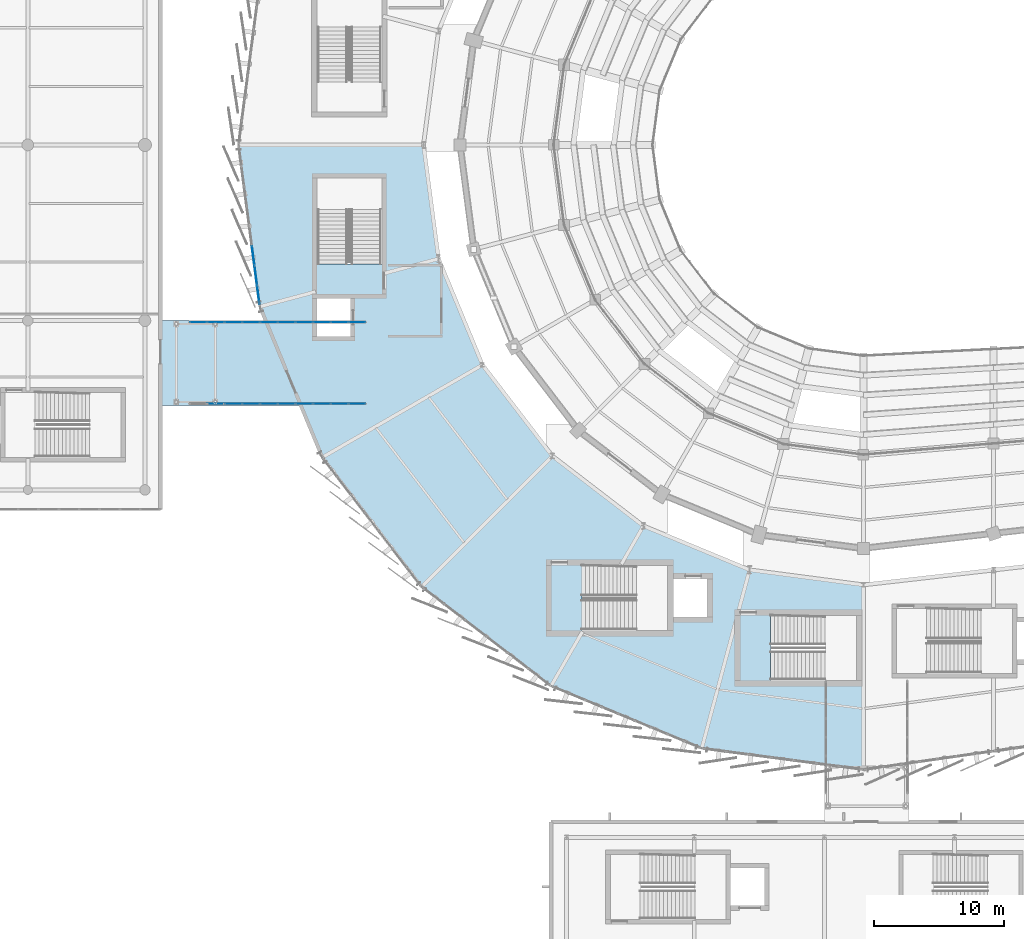
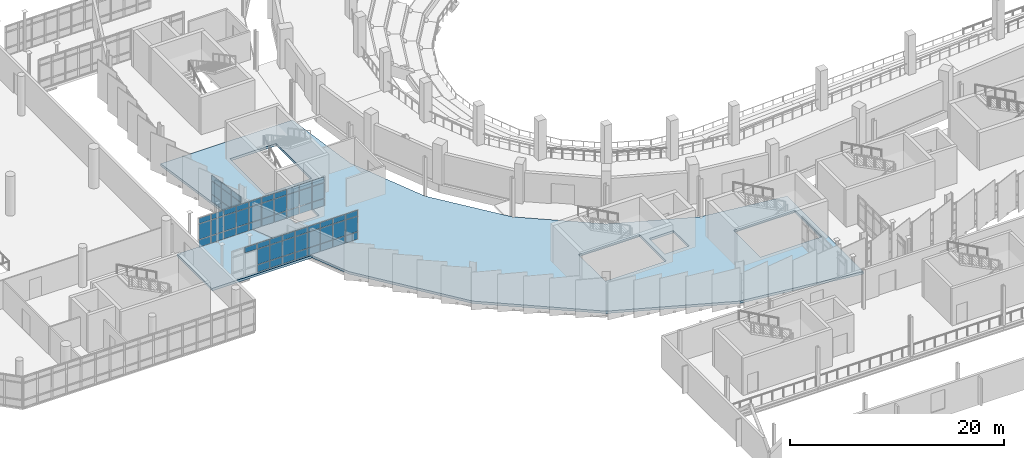
# One storey, part 84 of 134: 64 plates, 2 slabs, 3 elements without a shape of their own.
"""IFC4 building model written with IfcOpenShell, lengths in metres."""

from ifc_helpers import new_model, si_unit, direction, frame, origin, origin_2d, place, context, subcontext, project, spatial, polyline, rectangle, outline, extrude, material, layer, layer_set, type_object, element, aggregate, save


model = new_model("IFC4")

# Units and contexts
model_context = context("Model", 3, precision=1e-05, world=origin(), true_north=direction((0.0, 1.0)))
body_context = subcontext(model_context, "Body", "Model", "MODEL_VIEW")
ifc_project = project(units=[si_unit("LENGTHUNIT", "METRE"), si_unit("AREAUNIT", "SQUARE_METRE"), si_unit("VOLUMEUNIT", "CUBIC_METRE"), si_unit("PLANEANGLEUNIT", "RADIAN"), si_unit("MASSUNIT", "GRAM", prefix="KILO")], contexts=[model_context])

# Site, building, storey
site_placement = place(None, origin())
site = spatial("IfcSite", under=ifc_project, at=site_placement, CompositionType="ELEMENT")
building_placement = place(site_placement, origin())
building = spatial("IfcBuilding", under=site, at=building_placement, Name="Sohan Crest Arena", CompositionType="ELEMENT")
storey_placement = place(building_placement, frame((0.0, 0.0, 4.5)))
storey = spatial("IfcBuildingStorey", under=building, at=storey_placement, Name="L01", CompositionType="ELEMENT", Elevation=4.5)

# Curtain wall, plates
ifc_material_1 = material(Name="Thermally broken anodised aluminium", Category="aluminium")
ifc_layer_1 = layer(ifc_material_1, 0.18994140625, Name="Thermally broken anodised aluminium")
ifc_layer_set_1 = layer_set([ifc_layer_1], Name="Thermally broken anodised aluminium")
curtain_wall_type_1 = type_object("IfcCurtainWallType", Name="ARC-CW05", PredefinedType="NOTDEFINED", material=ifc_layer_set_1)
curtain_wall_1_placement = place(storey_placement, origin())
curtain_wall_1 = element("IfcCurtainWall", 1, at=curtain_wall_1_placement, inside=storey, type_object=curtain_wall_type_1, Name="Unitised curtain wall CW-225", PredefinedType="NOTDEFINED")
ifc_material_2 = material(Name="Low-E double-glazed insulated glass", Category="glass")
ifc_layer_2 = layer(ifc_material_2, 0.028076171875, Name="Low-E double-glazed insulated glass")
ifc_layer_set_2 = layer_set([ifc_layer_2], Name="Low-E double-glazed insulated glass")
plate_type_1 = type_object("IfcPlateType", Name="ARC-CNP01", PredefinedType="CURTAIN_PANEL", material=ifc_layer_set_2)
plate_1_placement = place(storey_placement, frame((48.239990234375, 58.1201171875, 2.72998046875), z_axis=(0.0, 0.0, 1.0), x_axis=(1.0, 0.0, 0.0)))
plate_1 = element("IfcPlate", 2, at=plate_1_placement, type_object=plate_type_1, Name="CW-225 panel 2.3", PredefinedType="CURTAIN_PANEL", context=body_context, shape_type="SweptSolid", body=[
    extrude(rectangle(XDim=1.294921875, YDim=0.028076171875, at=origin_2d()), origin(), (0.0, 0.0, 1.0), 0.610107421875),
])
plate_2_placement = place(storey_placement, frame((49.60009765625, 58.1201171875, 0.06005859375), z_axis=(0.0, 0.0, 1.0), x_axis=(1.0, 0.0, 0.0)))
plate_2 = element("IfcPlate", 3, at=plate_2_placement, type_object=plate_type_1, Name="CW-225 panel 3.1", PredefinedType="CURTAIN_PANEL", context=body_context, shape_type="SweptSolid", body=[
    extrude(rectangle(XDim=1.294921875, YDim=0.028076171875, at=origin_2d()), origin(), (0.0, 0.0, 1.0), 0.81005859375),
])
plate_3_placement = place(storey_placement, frame((49.60009765625, 58.1201171875, 0.93017578125), z_axis=(0.0, 0.0, 1.0), x_axis=(1.0, 0.0, 0.0)))
plate_3 = element("IfcPlate", 4, at=plate_3_placement, type_object=plate_type_1, Name="CW-225 panel 3.2", PredefinedType="CURTAIN_PANEL", context=body_context, shape_type="SweptSolid", body=[
    extrude(rectangle(XDim=1.294921875, YDim=0.028076171875, at=origin_2d()), origin(), (0.0, 0.0, 1.0), 1.739990234375),
])
plate_4_placement = place(storey_placement, frame((49.60009765625, 58.1201171875, 2.72998046875), z_axis=(0.0, 0.0, 1.0), x_axis=(1.0, 0.0, 0.0)))
plate_4 = element("IfcPlate", 5, at=plate_4_placement, type_object=plate_type_1, Name="CW-225 panel 3.3", PredefinedType="CURTAIN_PANEL", context=body_context, shape_type="SweptSolid", body=[
    extrude(rectangle(XDim=1.294921875, YDim=0.028076171875, at=origin_2d()), origin(), (0.0, 0.0, 1.0), 0.610107421875),
])
plate_5_placement = place(storey_placement, frame((50.9599609375, 58.1201171875, 0.06005859375), z_axis=(0.0, 0.0, 1.0), x_axis=(1.0, 0.0, 0.0)))
plate_5 = element("IfcPlate", 6, at=plate_5_placement, type_object=plate_type_1, Name="CW-225 panel 4.1", PredefinedType="CURTAIN_PANEL", context=body_context, shape_type="SweptSolid", body=[
    extrude(rectangle(XDim=1.294921875, YDim=0.028076171875, at=origin_2d()), origin(), (0.0, 0.0, 1.0), 0.81005859375),
])
plate_6_placement = place(storey_placement, frame((50.9599609375, 58.1201171875, 0.93017578125), z_axis=(0.0, 0.0, 1.0), x_axis=(1.0, 0.0, 0.0)))
plate_6 = element("IfcPlate", 7, at=plate_6_placement, type_object=plate_type_1, Name="CW-225 panel 4.2", PredefinedType="CURTAIN_PANEL", context=body_context, shape_type="SweptSolid", body=[
    extrude(rectangle(XDim=1.294921875, YDim=0.028076171875, at=origin_2d()), origin(), (0.0, 0.0, 1.0), 1.739990234375),
])
plate_7_placement = place(storey_placement, frame((50.9599609375, 58.1201171875, 2.72998046875), z_axis=(0.0, 0.0, 1.0), x_axis=(1.0, 0.0, 0.0)))
plate_7 = element("IfcPlate", 8, at=plate_7_placement, type_object=plate_type_1, Name="CW-225 panel 4.3", PredefinedType="CURTAIN_PANEL", context=body_context, shape_type="SweptSolid", body=[
    extrude(rectangle(XDim=1.294921875, YDim=0.028076171875, at=origin_2d()), origin(), (0.0, 0.0, 1.0), 0.610107421875),
])
plate_8_placement = place(storey_placement, frame((52.320068359375, 58.1201171875, 0.06005859375), z_axis=(0.0, 0.0, 1.0), x_axis=(1.0, 0.0, 0.0)))
plate_8 = element("IfcPlate", 9, at=plate_8_placement, type_object=plate_type_1, Name="CW-225 panel 5.1", PredefinedType="CURTAIN_PANEL", context=body_context, shape_type="SweptSolid", body=[
    extrude(rectangle(XDim=1.294921875, YDim=0.028076171875, at=origin_2d()), origin(), (0.0, 0.0, 1.0), 0.81005859375),
])
plate_9_placement = place(storey_placement, frame((52.320068359375, 58.1201171875, 0.93017578125), z_axis=(0.0, 0.0, 1.0), x_axis=(1.0, 0.0, 0.0)))
plate_9 = element("IfcPlate", 10, at=plate_9_placement, type_object=plate_type_1, Name="CW-225 panel 5.2", PredefinedType="CURTAIN_PANEL", context=body_context, shape_type="SweptSolid", body=[
    extrude(rectangle(XDim=1.294921875, YDim=0.028076171875, at=origin_2d()), origin(), (0.0, 0.0, 1.0), 1.739990234375),
])
plate_10_placement = place(storey_placement, frame((52.320068359375, 58.1201171875, 2.72998046875), z_axis=(0.0, 0.0, 1.0), x_axis=(1.0, 0.0, 0.0)))
plate_10 = element("IfcPlate", 11, at=plate_10_placement, type_object=plate_type_1, Name="CW-225 panel 5.3", PredefinedType="CURTAIN_PANEL", context=body_context, shape_type="SweptSolid", body=[
    extrude(rectangle(XDim=1.294921875, YDim=0.028076171875, at=origin_2d()), origin(), (0.0, 0.0, 1.0), 0.610107421875),
])
plate_11_placement = place(storey_placement, frame((53.679931640625, 58.1201171875, 0.06005859375), z_axis=(0.0, 0.0, 1.0), x_axis=(1.0, 0.0, 0.0)))
plate_11 = element("IfcPlate", 12, at=plate_11_placement, type_object=plate_type_1, Name="CW-225 panel 6.1", PredefinedType="CURTAIN_PANEL", context=body_context, shape_type="SweptSolid", body=[
    extrude(rectangle(XDim=1.294921875, YDim=0.028076171875, at=origin_2d()), origin(), (0.0, 0.0, 1.0), 0.81005859375),
])
plate_12_placement = place(storey_placement, frame((53.679931640625, 58.1201171875, 0.93017578125), z_axis=(0.0, 0.0, 1.0), x_axis=(1.0, 0.0, 0.0)))
plate_12 = element("IfcPlate", 13, at=plate_12_placement, type_object=plate_type_1, Name="CW-225 panel 6.2", PredefinedType="CURTAIN_PANEL", context=body_context, shape_type="SweptSolid", body=[
    extrude(rectangle(XDim=1.294921875, YDim=0.028076171875, at=origin_2d()), origin(), (0.0, 0.0, 1.0), 1.739990234375),
])
plate_13_placement = place(storey_placement, frame((53.679931640625, 58.1201171875, 2.72998046875), z_axis=(0.0, 0.0, 1.0), x_axis=(1.0, 0.0, 0.0)))
plate_13 = element("IfcPlate", 14, at=plate_13_placement, type_object=plate_type_1, Name="CW-225 panel 6.3", PredefinedType="CURTAIN_PANEL", context=body_context, shape_type="SweptSolid", body=[
    extrude(rectangle(XDim=1.294921875, YDim=0.028076171875, at=origin_2d()), origin(), (0.0, 0.0, 1.0), 0.610107421875),
])
plate_14_placement = place(storey_placement, frame((55.0400390625, 58.1201171875, 0.06005859375), z_axis=(0.0, 0.0, 1.0), x_axis=(1.0, 0.0, 0.0)))
plate_14 = element("IfcPlate", 15, at=plate_14_placement, type_object=plate_type_1, Name="CW-225 panel 7.1", PredefinedType="CURTAIN_PANEL", context=body_context, shape_type="SweptSolid", body=[
    extrude(rectangle(XDim=1.294921875, YDim=0.028076171875, at=origin_2d()), origin(), (0.0, 0.0, 1.0), 0.81005859375),
])
plate_15_placement = place(storey_placement, frame((55.0400390625, 58.1201171875, 0.93017578125), z_axis=(0.0, 0.0, 1.0), x_axis=(1.0, 0.0, 0.0)))
plate_15 = element("IfcPlate", 16, at=plate_15_placement, type_object=plate_type_1, Name="CW-225 panel 7.2", PredefinedType="CURTAIN_PANEL", context=body_context, shape_type="SweptSolid", body=[
    extrude(rectangle(XDim=1.294921875, YDim=0.028076171875, at=origin_2d()), origin(), (0.0, 0.0, 1.0), 1.739990234375),
])
plate_16_placement = place(storey_placement, frame((55.0400390625, 58.1201171875, 2.72998046875), z_axis=(0.0, 0.0, 1.0), x_axis=(1.0, 0.0, 0.0)))
plate_16 = element("IfcPlate", 17, at=plate_16_placement, type_object=plate_type_1, Name="CW-225 panel 7.3", PredefinedType="CURTAIN_PANEL", context=body_context, shape_type="SweptSolid", body=[
    extrude(rectangle(XDim=1.294921875, YDim=0.028076171875, at=origin_2d()), origin(), (0.0, 0.0, 1.0), 0.610107421875),
])
plate_17_placement = place(storey_placement, frame((56.39990234375, 58.1201171875, 0.06005859375), z_axis=(0.0, 0.0, 1.0), x_axis=(1.0, 0.0, 0.0)))
plate_17 = element("IfcPlate", 18, at=plate_17_placement, type_object=plate_type_1, Name="CW-225 panel 8.1", PredefinedType="CURTAIN_PANEL", context=body_context, shape_type="SweptSolid", body=[
    extrude(rectangle(XDim=1.294921875, YDim=0.028076171875, at=origin_2d()), origin(), (0.0, 0.0, 1.0), 0.81005859375),
])
plate_18_placement = place(storey_placement, frame((56.39990234375, 58.1201171875, 0.93017578125), z_axis=(0.0, 0.0, 1.0), x_axis=(1.0, 0.0, 0.0)))
plate_18 = element("IfcPlate", 19, at=plate_18_placement, type_object=plate_type_1, Name="CW-225 panel 8.2", PredefinedType="CURTAIN_PANEL", context=body_context, shape_type="SweptSolid", body=[
    extrude(rectangle(XDim=1.294921875, YDim=0.028076171875, at=origin_2d()), origin(), (0.0, 0.0, 1.0), 1.739990234375),
])
plate_19_placement = place(storey_placement, frame((56.39990234375, 58.1201171875, 2.72998046875), z_axis=(0.0, 0.0, 1.0), x_axis=(1.0, 0.0, 0.0)))
plate_19 = element("IfcPlate", 20, at=plate_19_placement, type_object=plate_type_1, Name="CW-225 panel 8.3", PredefinedType="CURTAIN_PANEL", context=body_context, shape_type="SweptSolid", body=[
    extrude(rectangle(XDim=1.294921875, YDim=0.028076171875, at=origin_2d()), origin(), (0.0, 0.0, 1.0), 0.610107421875),
])
plate_20_placement = place(storey_placement, frame((57.760009765625, 58.1201171875, 0.06005859375), z_axis=(0.0, 0.0, 1.0), x_axis=(1.0, 0.0, 0.0)))
plate_20 = element("IfcPlate", 21, at=plate_20_placement, type_object=plate_type_1, Name="CW-225 panel 9.1", PredefinedType="CURTAIN_PANEL", context=body_context, shape_type="SweptSolid", body=[
    extrude(rectangle(XDim=1.294921875, YDim=0.028076171875, at=origin_2d()), origin(), (0.0, 0.0, 1.0), 0.81005859375),
])
plate_21_placement = place(storey_placement, frame((57.760009765625, 58.1201171875, 0.93017578125), z_axis=(0.0, 0.0, 1.0), x_axis=(1.0, 0.0, 0.0)))
plate_21 = element("IfcPlate", 22, at=plate_21_placement, type_object=plate_type_1, Name="CW-225 panel 9.2", PredefinedType="CURTAIN_PANEL", context=body_context, shape_type="SweptSolid", body=[
    extrude(rectangle(XDim=1.294921875, YDim=0.028076171875, at=origin_2d()), origin(), (0.0, 0.0, 1.0), 1.739990234375),
])
plate_22_placement = place(storey_placement, frame((57.760009765625, 58.1201171875, 2.72998046875), z_axis=(0.0, 0.0, 1.0), x_axis=(1.0, 0.0, 0.0)))
plate_22 = element("IfcPlate", 23, at=plate_22_placement, type_object=plate_type_1, Name="CW-225 panel 9.3", PredefinedType="CURTAIN_PANEL", context=body_context, shape_type="SweptSolid", body=[
    extrude(rectangle(XDim=1.294921875, YDim=0.028076171875, at=origin_2d()), origin(), (0.0, 0.0, 1.0), 0.610107421875),
])
plate_23_placement = place(storey_placement, frame((59.103759765625, 58.1201171875, 0.06005859375), z_axis=(0.0, 0.0, 1.0), x_axis=(1.0, 0.0, 0.0)))
plate_23 = element("IfcPlate", 24, at=plate_23_placement, type_object=plate_type_1, Name="CW-225 panel 10.1", PredefinedType="CURTAIN_PANEL", context=body_context, shape_type="SweptSolid", body=[
    extrude(rectangle(XDim=1.262451171875, YDim=0.028076171875, at=origin_2d()), origin(), (0.0, 0.0, 1.0), 0.81005859375),
])
plate_24_placement = place(storey_placement, frame((59.103759765625, 58.1201171875, 0.93017578125), z_axis=(0.0, 0.0, 1.0), x_axis=(1.0, 0.0, 0.0)))
plate_24 = element("IfcPlate", 25, at=plate_24_placement, type_object=plate_type_1, Name="CW-225 panel 10.2", PredefinedType="CURTAIN_PANEL", context=body_context, shape_type="SweptSolid", body=[
    extrude(rectangle(XDim=1.262451171875, YDim=0.028076171875, at=origin_2d()), origin(), (0.0, 0.0, 1.0), 1.739990234375),
])
plate_25_placement = place(storey_placement, frame((59.103759765625, 58.1201171875, 2.72998046875), z_axis=(0.0, 0.0, 1.0), x_axis=(1.0, 0.0, 0.0)))
plate_25 = element("IfcPlate", 26, at=plate_25_placement, type_object=plate_type_1, Name="CW-225 panel 10.3", PredefinedType="CURTAIN_PANEL", context=body_context, shape_type="SweptSolid", body=[
    extrude(rectangle(XDim=1.262451171875, YDim=0.028076171875, at=origin_2d()), origin(), (0.0, 0.0, 1.0), 0.610107421875),
])
aggregate(curtain_wall_1, [plate_1, plate_2, plate_3, plate_4, plate_5, plate_6, plate_7, plate_8, plate_9, plate_10, plate_11, plate_12, plate_13, plate_14, plate_15, plate_16, plate_17, plate_18, plate_19, plate_20, plate_21, plate_22, plate_23, plate_24, plate_25])

curtain_wall_2_placement = place(storey_placement, origin())
curtain_wall_2 = element("IfcCurtainWall", 27, at=curtain_wall_2_placement, inside=storey, type_object=curtain_wall_type_1, Name="Unitised curtain wall CW-226", PredefinedType="NOTDEFINED")
plate_26_placement = place(storey_placement, frame((46.896240234375, 64.3798828125, 0.06005859375), z_axis=(0.0, 0.0, 1.0), x_axis=(1.0, 0.0, 0.0)))
plate_26 = element("IfcPlate", 28, at=plate_26_placement, type_object=plate_type_1, Name="CW-226 panel 1.1", PredefinedType="CURTAIN_PANEL", context=body_context, shape_type="SweptSolid", body=[
    extrude(rectangle(XDim=1.262451171875, YDim=0.028076171875, at=origin_2d()), origin(), (0.0, 0.0, 1.0), 0.81005859375),
])
plate_27_placement = place(storey_placement, frame((46.896240234375, 64.3798828125, 0.93017578125), z_axis=(0.0, 0.0, 1.0), x_axis=(1.0, 0.0, 0.0)))
plate_27 = element("IfcPlate", 29, at=plate_27_placement, type_object=plate_type_1, Name="CW-226 panel 1.2", PredefinedType="CURTAIN_PANEL", context=body_context, shape_type="SweptSolid", body=[
    extrude(rectangle(XDim=1.262451171875, YDim=0.028076171875, at=origin_2d()), origin(), (0.0, 0.0, 1.0), 1.739990234375),
])
plate_28_placement = place(storey_placement, frame((46.896240234375, 64.3798828125, 2.72998046875), z_axis=(0.0, 0.0, 1.0), x_axis=(1.0, 0.0, 0.0)))
plate_28 = element("IfcPlate", 30, at=plate_28_placement, type_object=plate_type_1, Name="CW-226 panel 1.3", PredefinedType="CURTAIN_PANEL", context=body_context, shape_type="SweptSolid", body=[
    extrude(rectangle(XDim=1.262451171875, YDim=0.028076171875, at=origin_2d()), origin(), (0.0, 0.0, 1.0), 0.610107421875),
])
plate_29_placement = place(storey_placement, frame((48.239990234375, 64.3798828125, 0.06005859375), z_axis=(0.0, 0.0, 1.0), x_axis=(1.0, 0.0, 0.0)))
plate_29 = element("IfcPlate", 31, at=plate_29_placement, type_object=plate_type_1, Name="CW-226 panel 2.1", PredefinedType="CURTAIN_PANEL", context=body_context, shape_type="SweptSolid", body=[
    extrude(rectangle(XDim=1.294921875, YDim=0.028076171875, at=origin_2d()), origin(), (0.0, 0.0, 1.0), 0.81005859375),
])
plate_30_placement = place(storey_placement, frame((48.239990234375, 64.3798828125, 0.93017578125), z_axis=(0.0, 0.0, 1.0), x_axis=(1.0, 0.0, 0.0)))
plate_30 = element("IfcPlate", 32, at=plate_30_placement, type_object=plate_type_1, Name="CW-226 panel 2.2", PredefinedType="CURTAIN_PANEL", context=body_context, shape_type="SweptSolid", body=[
    extrude(rectangle(XDim=1.294921875, YDim=0.028076171875, at=origin_2d()), origin(), (0.0, 0.0, 1.0), 1.739990234375),
])
plate_31_placement = place(storey_placement, frame((48.239990234375, 64.3798828125, 2.72998046875), z_axis=(0.0, 0.0, 1.0), x_axis=(1.0, 0.0, 0.0)))
plate_31 = element("IfcPlate", 33, at=plate_31_placement, type_object=plate_type_1, Name="CW-226 panel 2.3", PredefinedType="CURTAIN_PANEL", context=body_context, shape_type="SweptSolid", body=[
    extrude(rectangle(XDim=1.294921875, YDim=0.028076171875, at=origin_2d()), origin(), (0.0, 0.0, 1.0), 0.610107421875),
])
plate_32_placement = place(storey_placement, frame((49.60009765625, 64.3798828125, 0.06005859375), z_axis=(0.0, 0.0, 1.0), x_axis=(1.0, 0.0, 0.0)))
plate_32 = element("IfcPlate", 34, at=plate_32_placement, type_object=plate_type_1, Name="CW-226 panel 3.1", PredefinedType="CURTAIN_PANEL", context=body_context, shape_type="SweptSolid", body=[
    extrude(rectangle(XDim=1.294921875, YDim=0.028076171875, at=origin_2d()), origin(), (0.0, 0.0, 1.0), 0.81005859375),
])
plate_33_placement = place(storey_placement, frame((49.60009765625, 64.3798828125, 0.93017578125), z_axis=(0.0, 0.0, 1.0), x_axis=(1.0, 0.0, 0.0)))
plate_33 = element("IfcPlate", 35, at=plate_33_placement, type_object=plate_type_1, Name="CW-226 panel 3.2", PredefinedType="CURTAIN_PANEL", context=body_context, shape_type="SweptSolid", body=[
    extrude(rectangle(XDim=1.294921875, YDim=0.028076171875, at=origin_2d()), origin(), (0.0, 0.0, 1.0), 1.739990234375),
])
plate_34_placement = place(storey_placement, frame((49.60009765625, 64.3798828125, 2.72998046875), z_axis=(0.0, 0.0, 1.0), x_axis=(1.0, 0.0, 0.0)))
plate_34 = element("IfcPlate", 36, at=plate_34_placement, type_object=plate_type_1, Name="CW-226 panel 3.3", PredefinedType="CURTAIN_PANEL", context=body_context, shape_type="SweptSolid", body=[
    extrude(rectangle(XDim=1.294921875, YDim=0.028076171875, at=origin_2d()), origin(), (0.0, 0.0, 1.0), 0.610107421875),
])
plate_35_placement = place(storey_placement, frame((50.9599609375, 64.3798828125, 0.06005859375), z_axis=(0.0, 0.0, 1.0), x_axis=(1.0, 0.0, 0.0)))
plate_35 = element("IfcPlate", 37, at=plate_35_placement, type_object=plate_type_1, Name="CW-226 panel 4.1", PredefinedType="CURTAIN_PANEL", context=body_context, shape_type="SweptSolid", body=[
    extrude(rectangle(XDim=1.294921875, YDim=0.028076171875, at=origin_2d()), origin(), (0.0, 0.0, 1.0), 0.81005859375),
])
plate_36_placement = place(storey_placement, frame((50.9599609375, 64.3798828125, 0.93017578125), z_axis=(0.0, 0.0, 1.0), x_axis=(1.0, 0.0, 0.0)))
plate_36 = element("IfcPlate", 38, at=plate_36_placement, type_object=plate_type_1, Name="CW-226 panel 4.2", PredefinedType="CURTAIN_PANEL", context=body_context, shape_type="SweptSolid", body=[
    extrude(rectangle(XDim=1.294921875, YDim=0.028076171875, at=origin_2d()), origin(), (0.0, 0.0, 1.0), 1.739990234375),
])
plate_37_placement = place(storey_placement, frame((50.9599609375, 64.3798828125, 2.72998046875), z_axis=(0.0, 0.0, 1.0), x_axis=(1.0, 0.0, 0.0)))
plate_37 = element("IfcPlate", 39, at=plate_37_placement, type_object=plate_type_1, Name="CW-226 panel 4.3", PredefinedType="CURTAIN_PANEL", context=body_context, shape_type="SweptSolid", body=[
    extrude(rectangle(XDim=1.294921875, YDim=0.028076171875, at=origin_2d()), origin(), (0.0, 0.0, 1.0), 0.610107421875),
])
plate_38_placement = place(storey_placement, frame((52.320068359375, 64.3798828125, 0.06005859375), z_axis=(0.0, 0.0, 1.0), x_axis=(1.0, 0.0, 0.0)))
plate_38 = element("IfcPlate", 40, at=plate_38_placement, type_object=plate_type_1, Name="CW-226 panel 5.1", PredefinedType="CURTAIN_PANEL", context=body_context, shape_type="SweptSolid", body=[
    extrude(rectangle(XDim=1.294921875, YDim=0.028076171875, at=origin_2d()), origin(), (0.0, 0.0, 1.0), 0.81005859375),
])
plate_39_placement = place(storey_placement, frame((52.320068359375, 64.3798828125, 0.93017578125), z_axis=(0.0, 0.0, 1.0), x_axis=(1.0, 0.0, 0.0)))
plate_39 = element("IfcPlate", 41, at=plate_39_placement, type_object=plate_type_1, Name="CW-226 panel 5.2", PredefinedType="CURTAIN_PANEL", context=body_context, shape_type="SweptSolid", body=[
    extrude(rectangle(XDim=1.294921875, YDim=0.028076171875, at=origin_2d()), origin(), (0.0, 0.0, 1.0), 1.739990234375),
])
plate_40_placement = place(storey_placement, frame((52.320068359375, 64.3798828125, 2.72998046875), z_axis=(0.0, 0.0, 1.0), x_axis=(1.0, 0.0, 0.0)))
plate_40 = element("IfcPlate", 42, at=plate_40_placement, type_object=plate_type_1, Name="CW-226 panel 5.3", PredefinedType="CURTAIN_PANEL", context=body_context, shape_type="SweptSolid", body=[
    extrude(rectangle(XDim=1.294921875, YDim=0.028076171875, at=origin_2d()), origin(), (0.0, 0.0, 1.0), 0.610107421875),
])
plate_41_placement = place(storey_placement, frame((53.679931640625, 64.3798828125, 0.06005859375), z_axis=(0.0, 0.0, 1.0), x_axis=(1.0, 0.0, 0.0)))
plate_41 = element("IfcPlate", 43, at=plate_41_placement, type_object=plate_type_1, Name="CW-226 panel 6.1", PredefinedType="CURTAIN_PANEL", context=body_context, shape_type="SweptSolid", body=[
    extrude(rectangle(XDim=1.294921875, YDim=0.028076171875, at=origin_2d()), origin(), (0.0, 0.0, 1.0), 0.81005859375),
])
plate_42_placement = place(storey_placement, frame((53.679931640625, 64.3798828125, 0.93017578125), z_axis=(0.0, 0.0, 1.0), x_axis=(1.0, 0.0, 0.0)))
plate_42 = element("IfcPlate", 44, at=plate_42_placement, type_object=plate_type_1, Name="CW-226 panel 6.2", PredefinedType="CURTAIN_PANEL", context=body_context, shape_type="SweptSolid", body=[
    extrude(rectangle(XDim=1.294921875, YDim=0.028076171875, at=origin_2d()), origin(), (0.0, 0.0, 1.0), 1.739990234375),
])
plate_43_placement = place(storey_placement, frame((53.679931640625, 64.3798828125, 2.72998046875), z_axis=(0.0, 0.0, 1.0), x_axis=(1.0, 0.0, 0.0)))
plate_43 = element("IfcPlate", 45, at=plate_43_placement, type_object=plate_type_1, Name="CW-226 panel 6.3", PredefinedType="CURTAIN_PANEL", context=body_context, shape_type="SweptSolid", body=[
    extrude(rectangle(XDim=1.294921875, YDim=0.028076171875, at=origin_2d()), origin(), (0.0, 0.0, 1.0), 0.610107421875),
])
plate_44_placement = place(storey_placement, frame((55.0400390625, 64.3798828125, 0.06005859375), z_axis=(0.0, 0.0, 1.0), x_axis=(1.0, 0.0, 0.0)))
plate_44 = element("IfcPlate", 46, at=plate_44_placement, type_object=plate_type_1, Name="CW-226 panel 7.1", PredefinedType="CURTAIN_PANEL", context=body_context, shape_type="SweptSolid", body=[
    extrude(rectangle(XDim=1.294921875, YDim=0.028076171875, at=origin_2d()), origin(), (0.0, 0.0, 1.0), 0.81005859375),
])
plate_45_placement = place(storey_placement, frame((55.0400390625, 64.3798828125, 0.93017578125), z_axis=(0.0, 0.0, 1.0), x_axis=(1.0, 0.0, 0.0)))
plate_45 = element("IfcPlate", 47, at=plate_45_placement, type_object=plate_type_1, Name="CW-226 panel 7.2", PredefinedType="CURTAIN_PANEL", context=body_context, shape_type="SweptSolid", body=[
    extrude(rectangle(XDim=1.294921875, YDim=0.028076171875, at=origin_2d()), origin(), (0.0, 0.0, 1.0), 1.739990234375),
])
plate_46_placement = place(storey_placement, frame((55.0400390625, 64.3798828125, 2.72998046875), z_axis=(0.0, 0.0, 1.0), x_axis=(1.0, 0.0, 0.0)))
plate_46 = element("IfcPlate", 48, at=plate_46_placement, type_object=plate_type_1, Name="CW-226 panel 7.3", PredefinedType="CURTAIN_PANEL", context=body_context, shape_type="SweptSolid", body=[
    extrude(rectangle(XDim=1.294921875, YDim=0.028076171875, at=origin_2d()), origin(), (0.0, 0.0, 1.0), 0.610107421875),
])
plate_47_placement = place(storey_placement, frame((56.39990234375, 64.3798828125, 0.06005859375), z_axis=(0.0, 0.0, 1.0), x_axis=(1.0, 0.0, 0.0)))
plate_47 = element("IfcPlate", 49, at=plate_47_placement, type_object=plate_type_1, Name="CW-226 panel 8.1", PredefinedType="CURTAIN_PANEL", context=body_context, shape_type="SweptSolid", body=[
    extrude(rectangle(XDim=1.294921875, YDim=0.028076171875, at=origin_2d()), origin(), (0.0, 0.0, 1.0), 0.81005859375),
])
plate_48_placement = place(storey_placement, frame((56.39990234375, 64.3798828125, 0.93017578125), z_axis=(0.0, 0.0, 1.0), x_axis=(1.0, 0.0, 0.0)))
plate_48 = element("IfcPlate", 50, at=plate_48_placement, type_object=plate_type_1, Name="CW-226 panel 8.2", PredefinedType="CURTAIN_PANEL", context=body_context, shape_type="SweptSolid", body=[
    extrude(rectangle(XDim=1.294921875, YDim=0.028076171875, at=origin_2d()), origin(), (0.0, 0.0, 1.0), 1.739990234375),
])
plate_49_placement = place(storey_placement, frame((56.39990234375, 64.3798828125, 2.72998046875), z_axis=(0.0, 0.0, 1.0), x_axis=(1.0, 0.0, 0.0)))
plate_49 = element("IfcPlate", 51, at=plate_49_placement, type_object=plate_type_1, Name="CW-226 panel 8.3", PredefinedType="CURTAIN_PANEL", context=body_context, shape_type="SweptSolid", body=[
    extrude(rectangle(XDim=1.294921875, YDim=0.028076171875, at=origin_2d()), origin(), (0.0, 0.0, 1.0), 0.610107421875),
])
plate_50_placement = place(storey_placement, frame((57.760009765625, 64.3798828125, 0.06005859375), z_axis=(0.0, 0.0, 1.0), x_axis=(1.0, 0.0, 0.0)))
plate_50 = element("IfcPlate", 52, at=plate_50_placement, type_object=plate_type_1, Name="CW-226 panel 9.1", PredefinedType="CURTAIN_PANEL", context=body_context, shape_type="SweptSolid", body=[
    extrude(rectangle(XDim=1.294921875, YDim=0.028076171875, at=origin_2d()), origin(), (0.0, 0.0, 1.0), 0.81005859375),
])
plate_51_placement = place(storey_placement, frame((57.760009765625, 64.3798828125, 0.93017578125), z_axis=(0.0, 0.0, 1.0), x_axis=(1.0, 0.0, 0.0)))
plate_51 = element("IfcPlate", 53, at=plate_51_placement, type_object=plate_type_1, Name="CW-226 panel 9.2", PredefinedType="CURTAIN_PANEL", context=body_context, shape_type="SweptSolid", body=[
    extrude(rectangle(XDim=1.294921875, YDim=0.028076171875, at=origin_2d()), origin(), (0.0, 0.0, 1.0), 1.739990234375),
])
plate_52_placement = place(storey_placement, frame((57.760009765625, 64.3798828125, 2.72998046875), z_axis=(0.0, 0.0, 1.0), x_axis=(1.0, 0.0, 0.0)))
plate_52 = element("IfcPlate", 54, at=plate_52_placement, type_object=plate_type_1, Name="CW-226 panel 9.3", PredefinedType="CURTAIN_PANEL", context=body_context, shape_type="SweptSolid", body=[
    extrude(rectangle(XDim=1.294921875, YDim=0.028076171875, at=origin_2d()), origin(), (0.0, 0.0, 1.0), 0.610107421875),
])
plate_53_placement = place(storey_placement, frame((59.103759765625, 64.3798828125, 0.06005859375), z_axis=(0.0, 0.0, 1.0), x_axis=(1.0, 0.0, 0.0)))
plate_53 = element("IfcPlate", 55, at=plate_53_placement, type_object=plate_type_1, Name="CW-226 panel 10.1", PredefinedType="CURTAIN_PANEL", context=body_context, shape_type="SweptSolid", body=[
    extrude(rectangle(XDim=1.262451171875, YDim=0.028076171875, at=origin_2d()), origin(), (0.0, 0.0, 1.0), 0.81005859375),
])
plate_54_placement = place(storey_placement, frame((59.103759765625, 64.3798828125, 0.93017578125), z_axis=(0.0, 0.0, 1.0), x_axis=(1.0, 0.0, 0.0)))
plate_54 = element("IfcPlate", 56, at=plate_54_placement, type_object=plate_type_1, Name="CW-226 panel 10.2", PredefinedType="CURTAIN_PANEL", context=body_context, shape_type="SweptSolid", body=[
    extrude(rectangle(XDim=1.262451171875, YDim=0.028076171875, at=origin_2d()), origin(), (0.0, 0.0, 1.0), 1.739990234375),
])
plate_55_placement = place(storey_placement, frame((59.103759765625, 64.3798828125, 2.72998046875), z_axis=(0.0, 0.0, 1.0), x_axis=(1.0, 0.0, 0.0)))
plate_55 = element("IfcPlate", 57, at=plate_55_placement, type_object=plate_type_1, Name="CW-226 panel 10.3", PredefinedType="CURTAIN_PANEL", context=body_context, shape_type="SweptSolid", body=[
    extrude(rectangle(XDim=1.262451171875, YDim=0.028076171875, at=origin_2d()), origin(), (0.0, 0.0, 1.0), 0.610107421875),
])
aggregate(curtain_wall_2, [plate_26, plate_27, plate_28, plate_29, plate_30, plate_31, plate_32, plate_33, plate_34, plate_35, plate_36, plate_37, plate_38, plate_39, plate_40, plate_41, plate_42, plate_43, plate_44, plate_45, plate_46, plate_47, plate_48, plate_49, plate_50, plate_51, plate_52, plate_53, plate_54, plate_55])

ifc_layer_3 = layer(ifc_material_1, 0.179931640625, Name="Thermally broken anodised aluminium")
ifc_layer_set_3 = layer_set([ifc_layer_3], Name="Thermally broken anodised aluminium")
curtain_wall_type_2 = type_object("IfcCurtainWallType", Name="ARC-CW01", PredefinedType="NOTDEFINED", material=ifc_layer_set_3)
curtain_wall_3_placement = place(storey_placement, origin())
curtain_wall_3 = element("IfcCurtainWall", 58, at=curtain_wall_3_placement, inside=storey, type_object=curtain_wall_type_2, Name="Unitised curtain wall CW-025", PredefinedType="NOTDEFINED")
ifc_material_3 = material(Name="Ceramic-fritted solar-control insulated glass", Category="glass")
ifc_layer_4 = layer(ifc_material_3, 0.035888671875, Name="Ceramic-fritted solar-control insulated glass")
ifc_layer_set_4 = layer_set([ifc_layer_4], Name="Ceramic-fritted solar-control insulated glass")
plate_type_2 = type_object("IfcPlateType", Name="ARC-CNP03", PredefinedType="CURTAIN_PANEL", material=ifc_layer_set_4)
plate_56_placement = place(storey_placement, frame((51.118408203125, 69.507568359375, 0.06005859375), z_axis=(0.0, 0.0, 1.0), x_axis=(0.130562031094, -0.991440142438, 0.0)))
plate_56 = element("IfcPlate", 59, at=plate_56_placement, type_object=plate_type_2, Name="CW-025 panel 6.1", PredefinedType="CURTAIN_PANEL", context=body_context, shape_type="SweptSolid", body=[
    extrude(rectangle(XDim=1.4638671875, YDim=0.035888671875, at=origin_2d()), origin(), (0.0, 0.0, 1.0), 0.81005859375),
])
plate_57_placement = place(storey_placement, frame((51.118408203125, 69.507568359375, 0.929931640625), z_axis=(0.0, 0.0, 1.0), x_axis=(0.130562031094, -0.991440142438, 0.0)))
plate_57 = element("IfcPlate", 60, at=plate_57_placement, type_object=plate_type_2, Name="CW-025 panel 6.2", PredefinedType="CURTAIN_PANEL", context=body_context, shape_type="SweptSolid", body=[
    extrude(rectangle(XDim=1.4638671875, YDim=0.035888671875, at=origin_2d()), origin(), (0.0, 0.0, 1.0), 1.4599609375),
])
plate_58_placement = place(storey_placement, frame((51.118408203125, 69.507568359375, 2.44970703125), z_axis=(0.0, 0.0, 1.0), x_axis=(0.130562031094, -0.991440142438, 0.0)))
plate_58 = element("IfcPlate", 61, at=plate_58_placement, type_object=plate_type_2, Name="CW-025 panel 6.3", PredefinedType="CURTAIN_PANEL", context=body_context, shape_type="SweptSolid", body=[
    extrude(rectangle(XDim=1.4638671875, YDim=0.035888671875, at=origin_2d()), origin(), (0.0, 0.0, 1.0), 0.610107421875),
])
plate_59_placement = place(storey_placement, frame((51.318603515625, 67.98681640625, 0.06005859375), z_axis=(0.0, 0.0, 1.0), x_axis=(0.130562031094, -0.991440142438, 0.0)))
plate_59 = element("IfcPlate", 62, at=plate_59_placement, type_object=plate_type_2, Name="CW-025 panel 7.1", PredefinedType="CURTAIN_PANEL", context=body_context, shape_type="SweptSolid", body=[
    extrude(rectangle(XDim=1.4638671875, YDim=0.035888671875, at=origin_2d()), origin(), (0.0, 0.0, 1.0), 0.81005859375),
])
plate_60_placement = place(storey_placement, frame((51.318603515625, 67.98681640625, 0.929931640625), z_axis=(0.0, 0.0, 1.0), x_axis=(0.130562031094, -0.991440142438, 0.0)))
plate_60 = element("IfcPlate", 63, at=plate_60_placement, type_object=plate_type_2, Name="CW-025 panel 7.2", PredefinedType="CURTAIN_PANEL", context=body_context, shape_type="SweptSolid", body=[
    extrude(rectangle(XDim=1.4638671875, YDim=0.035888671875, at=origin_2d()), origin(), (0.0, 0.0, 1.0), 1.4599609375),
])
plate_61_placement = place(storey_placement, frame((51.318603515625, 67.98681640625, 2.44970703125), z_axis=(0.0, 0.0, 1.0), x_axis=(0.130562031094, -0.991440142438, 0.0)))
plate_61 = element("IfcPlate", 64, at=plate_61_placement, type_object=plate_type_2, Name="CW-025 panel 7.3", PredefinedType="CURTAIN_PANEL", context=body_context, shape_type="SweptSolid", body=[
    extrude(rectangle(XDim=1.4638671875, YDim=0.035888671875, at=origin_2d()), origin(), (0.0, 0.0, 1.0), 0.610107421875),
])
plate_62_placement = place(storey_placement, frame((51.5166015625, 66.483642578125, 0.06005859375), z_axis=(0.0, 0.0, 1.0), x_axis=(0.130562031094, -0.991440142438, 0.0)))
plate_62 = element("IfcPlate", 65, at=plate_62_placement, type_object=plate_type_2, Name="CW-025 panel 8.1", PredefinedType="CURTAIN_PANEL", context=body_context, shape_type="SweptSolid", body=[
    extrude(rectangle(XDim=1.4287109375, YDim=0.035888671875, at=origin_2d()), origin(), (0.0, 0.0, 1.0), 0.81005859375),
])
plate_63_placement = place(storey_placement, frame((51.5166015625, 66.483642578125, 0.929931640625), z_axis=(0.0, 0.0, 1.0), x_axis=(0.130562031094, -0.991440142438, 0.0)))
plate_63 = element("IfcPlate", 66, at=plate_63_placement, type_object=plate_type_2, Name="CW-025 panel 8.2", PredefinedType="CURTAIN_PANEL", context=body_context, shape_type="SweptSolid", body=[
    extrude(rectangle(XDim=1.4287109375, YDim=0.035888671875, at=origin_2d()), origin(), (0.0, 0.0, 1.0), 1.4599609375),
])
plate_64_placement = place(storey_placement, frame((51.5166015625, 66.483642578125, 2.44970703125), z_axis=(0.0, 0.0, 1.0), x_axis=(0.130562031094, -0.991440142438, 0.0)))
plate_64 = element("IfcPlate", 67, at=plate_64_placement, type_object=plate_type_2, Name="CW-025 panel 8.3", PredefinedType="CURTAIN_PANEL", context=body_context, shape_type="SweptSolid", body=[
    extrude(rectangle(XDim=1.4287109375, YDim=0.035888671875, at=origin_2d()), origin(), (0.0, 0.0, 1.0), 0.610107421875),
])
aggregate(curtain_wall_3, [plate_56, plate_57, plate_58, plate_59, plate_60, plate_61, plate_62, plate_63, plate_64])

# Slabs
ifc_material_4 = material(Name="Concrete C40/50", Category="concrete")
ifc_layer_5 = layer(ifc_material_4, 0.27490234375, Name="Concrete C40/50")
ifc_layer_set_5 = layer_set([ifc_layer_5], Name="Concrete C40/50")
slab_type = type_object("IfcSlabType", Name="SL-FLR4", PredefinedType="FLOOR", material=ifc_layer_set_5)
slab_1_placement = place(storey_placement, frame((0.0, 0.0, -0.27490234375)))
element("IfcSlab", 68, at=slab_1_placement, inside=storey, type_object=slab_type, Name="Concourse ring L01 sector 2 SL-L01-V2S2", PredefinedType="FLOOR", context=body_context, shape_type="SweptSolid", body=[
    extrude(outline(polyline([(64.05908203125, 44.05908203125), (56.430908203125, 54.0), (51.635986328125, 65.576904296875), (50.0, 78.0), (64.199951171875, 78.0), (65.35205078125, 69.251953125), (68.72802734375, 61.10009765625), (74.10009765625, 54.10009765625), (81.10009765625, 48.72802734375), (89.251953125, 45.35205078125), (98.0, 44.199951171875), (98.0, 30.0), (85.576904296875, 31.635986328125), (74.0, 36.430908203125), (64.05908203125, 44.05908203125)]), holes=[polyline([(61.0, 75.449951171875), (56.0, 75.449951171875), (56.0, 68.8701171875), (61.0, 68.8701171875), (61.0, 75.449951171875)]), polyline([(58.60009765625, 63.300048828125), (58.60009765625, 66.199951171875), (56.0, 66.199951171875), (56.0, 63.300048828125), (58.60009765625, 63.300048828125)]), polyline([(82.949951171875, 45.699951171875), (76.3701171875, 45.699951171875), (76.3701171875, 40.699951171875), (82.949951171875, 40.699951171875), (82.949951171875, 45.699951171875)]), polyline([(86.0, 41.75), (86.0, 44.64990234375), (83.39990234375, 44.64990234375), (83.39990234375, 41.75), (86.0, 41.75)]), polyline([(97.449951171875, 41.860107421875), (90.8701171875, 41.860107421875), (90.8701171875, 36.860107421875), (97.449951171875, 36.860107421875), (97.449951171875, 41.860107421875)])]), origin(), (0.0, 0.0, 1.0), 0.27490234375),
])
slab_2_placement = place(storey_placement, frame((0.0, 0.0, -0.27490234375)))
element("IfcSlab", 69, at=slab_2_placement, inside=storey, type_object=slab_type, Name="Covered bridge BR-W1 L01 deck SL-BR-W1-L01", PredefinedType="FLOOR", context=body_context, shape_type="SweptSolid", body=[
    extrude(outline(polyline([(52.08203125, 64.5), (54.77392578125, 58.0), (44.0, 58.0), (44.0, 64.5), (52.08203125, 64.5)])), origin(), (0.0, 0.0, 1.0), 0.27490234375),
])

save(model, "model.ifc")
